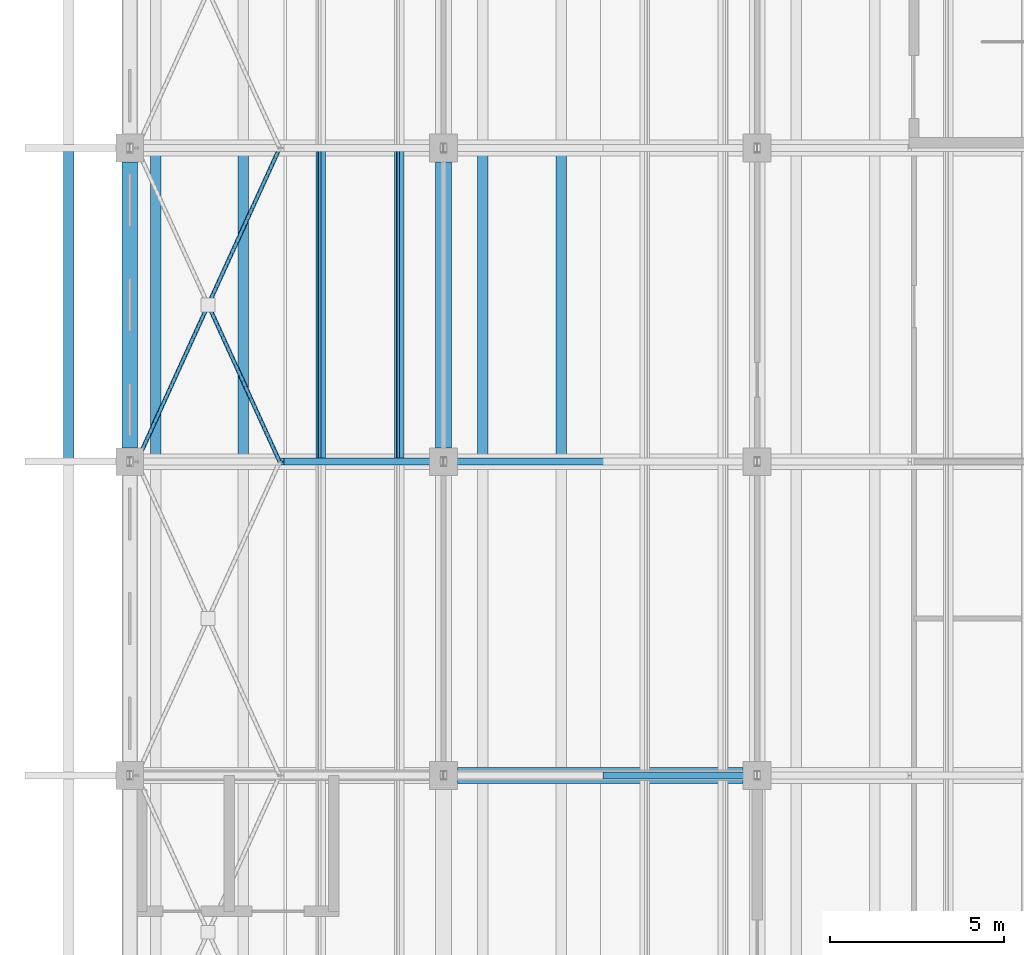
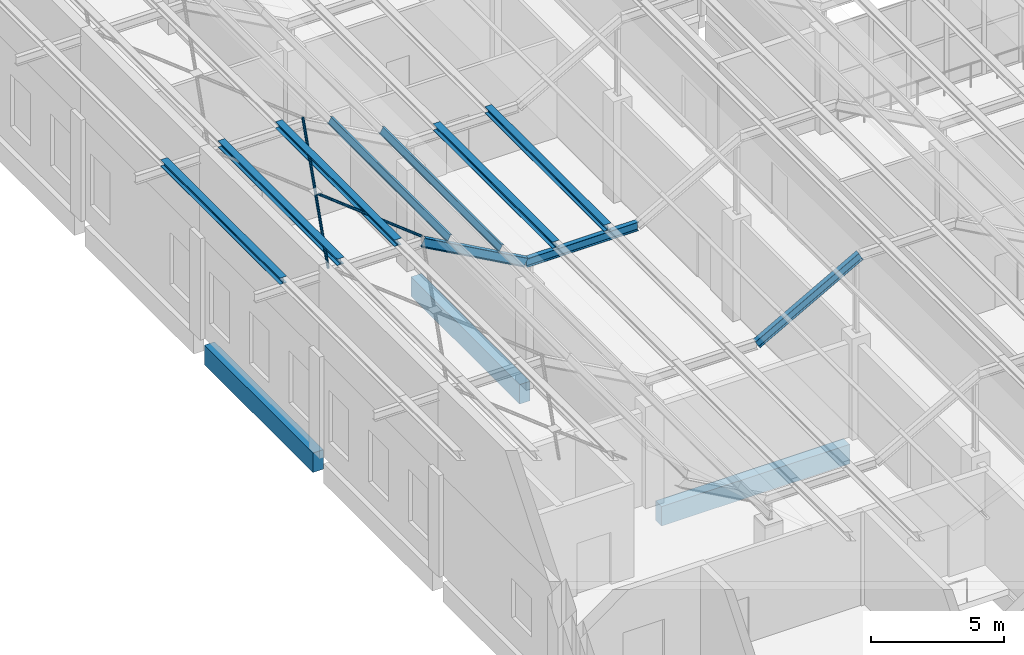
# One storey, part 16 of 437: 12 members, 3 beams.
"""IFC4 building model written with IfcOpenShell, lengths in metres."""

from ifc_helpers import new_model, si_unit, direction, frame, origin, origin_2d, place, context, subcontext, project, spatial, rectangle, hollow_circle, i_section, extrude, material, material_profile, profile_set, type_object, element, save


model = new_model("IFC4")

# Units and contexts
model_context = context("Model", 3, precision=1e-05, world=origin(), true_north=direction((0.0, 1.0)))
body_context = subcontext(model_context, "Body", "Model", "MODEL_VIEW")
ifc_project = project(units=[si_unit("LENGTHUNIT", "METRE"), si_unit("AREAUNIT", "SQUARE_METRE"), si_unit("VOLUMEUNIT", "CUBIC_METRE"), si_unit("PLANEANGLEUNIT", "RADIAN"), si_unit("MASSUNIT", "GRAM", prefix="KILO")], contexts=[model_context])

# Site, building, storey
site_placement = place(None, origin())
site = spatial("IfcSite", under=ifc_project, at=site_placement, CompositionType="ELEMENT")
building_placement = place(site_placement, origin())
building = spatial("IfcBuilding", under=site, at=building_placement, Name="Opaline Strait Convention Centre", CompositionType="ELEMENT")
storey_placement = place(building_placement, frame((0.0, 0.0, 11.5)))
storey = spatial("IfcBuildingStorey", under=building, at=storey_placement, Name="L02", CompositionType="ELEMENT", Elevation=11.5)

# Members
ifc_material_1 = material(Name="Steel Q355B", Category="steel")
ifc_material_profile_1 = material_profile(ifc_material_1, i_section(OverallWidth=0.300048828125, OverallDepth=0.300048828125, WebThickness=0.010009765625, FlangeThickness=0.014892578125, FilletRadius=0.012939453125, at=origin_2d()), Name="HW 300x300x10x15")
ifc_profile_set_1 = profile_set([ifc_material_profile_1], Name="Steel Q355B")
member_type_1 = type_object("IfcMemberType", Name="Crest purlin HW 300x300x10x15", PredefinedType="PURLIN", material=ifc_profile_set_1)
for number, where, z_axis, x_axis, name in (
    (1, (7.25, 36.0, 8.449951171875), (0.0, 1.0, 0.0), (-1.0, 0.0, 0.0), "RU1 purlin facet 1 line 1"),
    (2, (9.75, 36.0, 8.449951171875), (0.0, 1.0, 0.0), (-1.0, 0.0, 0.0), "RU1 purlin facet 1 line 2"),
    (3, (12.25, 36.0, 8.449951171875), (0.0, 1.0, 0.0), (-1.0, 0.0, 0.0), "RU1 purlin facet 1 line 3"),
    (4, (19.125, 36.0, 5.949951171875), (0.0, 1.0, 0.0), (-1.0, 0.0, 0.0), "RU1 purlin facet 3 line 1"),
    (5, (21.375, 36.0, 5.949951171875), (0.0, 1.0, 0.0), (-1.0, 0.0, 0.0), "RU1 purlin facet 3 line 2"),
):
    element("IfcMember", number, at=place(storey_placement, frame(where, z_axis=z_axis, x_axis=x_axis)), inside=storey, type_object=member_type_1, Name=name, PredefinedType="PURLIN", context=body_context, shape_type="SweptSolid", body=[
        extrude(i_section(OverallWidth=0.300048828125, OverallDepth=0.300048828125, WebThickness=0.010009765625, FlangeThickness=0.014892578125, FilletRadius=0.012939453125, at=origin_2d()), origin(), (0.0, 0.0, 1.0), 9.0),
    ])

# Beams
ifc_material_2 = material(Name="Concrete C35", Category="concrete")
ifc_material_profile_2 = material_profile(ifc_material_2, rectangle(XDim=0.449951171875, YDim=0.89990234375, at=origin_2d()), Name="RC 450x900")
ifc_profile_set_2 = profile_set([ifc_material_profile_2], Name="Concrete C35")
beam_type = type_object("IfcBeamType", Name="RC beam 450x900 C35", PredefinedType="BEAM", material=ifc_profile_set_2)
for number, where, z_axis, x_axis, name in (
    (6, (18.39990234375, 27.0, -0.72998046875), (1.0, 0.0, 0.0), (0.0, 1.0, 0.0), "XB1 L02 18/27-27/27"),
    (7, (9.0, 36.39990234375, -0.72998046875), (0.0, 1.0, 0.0), (-1.0, 0.0, 0.0), "XB1 L02 9/36-9/45"),
    (8, (18.0, 36.39990234375, -0.72998046875), (0.0, 1.0, 0.0), (-1.0, 0.0, 0.0), "XB1 L02 18/36-18/45"),
):
    element("IfcBeam", number, at=place(storey_placement, frame(where, z_axis=z_axis, x_axis=x_axis)), inside=storey, type_object=beam_type, Name=name, PredefinedType="BEAM", context=body_context, shape_type="SweptSolid", body=[
        extrude(rectangle(XDim=0.449951171875, YDim=0.89990234375, at=origin_2d()), origin(), (0.0, 0.0, 1.0), 8.2001953125),
    ])

# Members
ifc_material_profile_3 = material_profile(ifc_material_1, hollow_circle(Radius=0.056884765625, WallThickness=0.006103515625, at=origin_2d()), Name="CHS 114x6")
ifc_profile_set_3 = profile_set([ifc_material_profile_3], Name="Steel Q355B")
member_type_2 = type_object("IfcMemberType", Name="Roof bracing CHS 114x6", PredefinedType="BRACE", material=ifc_profile_set_3)
member_1_placement = place(storey_placement, frame((9.199951171875, 36.0, 8.35693359375), z_axis=(0.414572789354, 0.910016154981, 0.0), x_axis=(-0.910016154981, 0.414572789354, 0.0)))
element("IfcMember", 9, at=member_1_placement, inside=storey, type_object=member_type_2, Name="RX1 roof brace bay 4 at 9", PredefinedType="BRACE", context=body_context, shape_type="SweptSolid", body=[
    extrude(hollow_circle(Radius=0.056884765625, WallThickness=0.006103515625, at=origin_2d()), origin(), (0.0, 0.0, 1.0), 9.889892578125),
])
member_2_placement = place(storey_placement, frame((13.300048828125, 36.0, 8.35693359375), z_axis=(-0.414570207506, 0.91001733118, 0.0), x_axis=(-0.91001733118, -0.414570207506, 0.0)))
element("IfcMember", 10, at=member_2_placement, inside=storey, type_object=member_type_2, Name="RX1 roof brace bay 4 at 9", PredefinedType="BRACE", context=body_context, shape_type="SweptSolid", body=[
    extrude(hollow_circle(Radius=0.056884765625, WallThickness=0.006103515625, at=origin_2d()), origin(), (0.0, 0.0, 1.0), 4.81787109375),
])
ifc_material_profile_4 = material_profile(ifc_material_1, i_section(OverallWidth=0.14990234375, OverallDepth=0.300048828125, WebThickness=0.006591796875, FlangeThickness=0.009033203125, FilletRadius=0.012939453125, at=origin_2d()), Name="HN 300x150x6.5x9")
ifc_profile_set_4 = profile_set([ifc_material_profile_4], Name="Steel Q355B")
member_type_3 = type_object("IfcMemberType", Name="Roof purlin HN 300x150x6.5x9", PredefinedType="PURLIN", material=ifc_profile_set_4)
for number, where, z_axis, x_axis, name in (
    (11, (14.479248046875, 36.0, 7.86279296875), (0.0, 1.0, 0.0), (-0.874157310866, 0.0, 0.485642868639), "RU1 purlin facet 2 line 1"),
    (12, (16.729248046875, 36.0, 6.61279296875), (0.0, 1.0, 0.0), (-0.874157310866, 0.0, 0.485642868639), "RU1 purlin facet 2 line 2"),
):
    element("IfcMember", number, at=place(storey_placement, frame(where, z_axis=z_axis, x_axis=x_axis)), inside=storey, type_object=member_type_3, Name=name, PredefinedType="PURLIN", context=body_context, shape_type="SweptSolid", body=[
        extrude(i_section(OverallWidth=0.14990234375, OverallDepth=0.300048828125, WebThickness=0.006591796875, FlangeThickness=0.009033203125, FilletRadius=0.012939453125, at=origin_2d()), origin(), (0.0, 0.0, 1.0), 9.0),
    ])
ifc_material_profile_5 = material_profile(ifc_material_1, i_section(OverallWidth=0.199951171875, OverallDepth=0.39990234375, WebThickness=0.008056640625, FlangeThickness=0.012939453125, FilletRadius=0.012939453125, at=origin_2d()), Name="HN 400x200x8x13")
ifc_profile_set_5 = profile_set([ifc_material_profile_5], Name="Steel Q355B")
member_type_4 = type_object("IfcMemberType", Name="Roof rafter HN 400x200x8x13", PredefinedType="RAFTER", material=ifc_profile_set_5)
for number, where, z_axis, x_axis, name in (
    (13, (22.66845703125, 27.0, 5.60009765625), (0.874157276122, 0.0, 0.485642931179), (0.0, 1.0, 0.0), "RR1 rafter line 3 facet 5"),
    (14, (13.33154296875, 36.0, 8.10009765625), (0.874157276122, 0.0, -0.485642931179), (0.0, 1.0, 0.0), "RR1 rafter line 4 facet 3"),
):
    element("IfcMember", number, at=place(storey_placement, frame(where, z_axis=z_axis, x_axis=x_axis)), inside=storey, type_object=member_type_4, Name=name, PredefinedType="RAFTER", context=body_context, shape_type="SweptSolid", body=[
        extrude(i_section(OverallWidth=0.199951171875, OverallDepth=0.39990234375, WebThickness=0.008056640625, FlangeThickness=0.012939453125, FilletRadius=0.012939453125, at=origin_2d()), origin(), (0.0, 0.0, 1.0), 5.147705078125),
    ])
member_3_placement = place(storey_placement, frame((17.83154296875, 36.0, 5.60009765625), z_axis=(1.0, 0.0, 0.0), x_axis=(0.0, 1.0, 0.0)))
element("IfcMember", 15, at=member_3_placement, inside=storey, type_object=member_type_4, Name="RR1 rafter line 4 facet 4", PredefinedType="RAFTER", context=body_context, shape_type="SweptSolid", body=[
    extrude(i_section(OverallWidth=0.199951171875, OverallDepth=0.39990234375, WebThickness=0.008056640625, FlangeThickness=0.012939453125, FilletRadius=0.012939453125, at=origin_2d()), origin(), (0.0, 0.0, 1.0), 4.8369140625),
])

save(model, "model.ifc")
